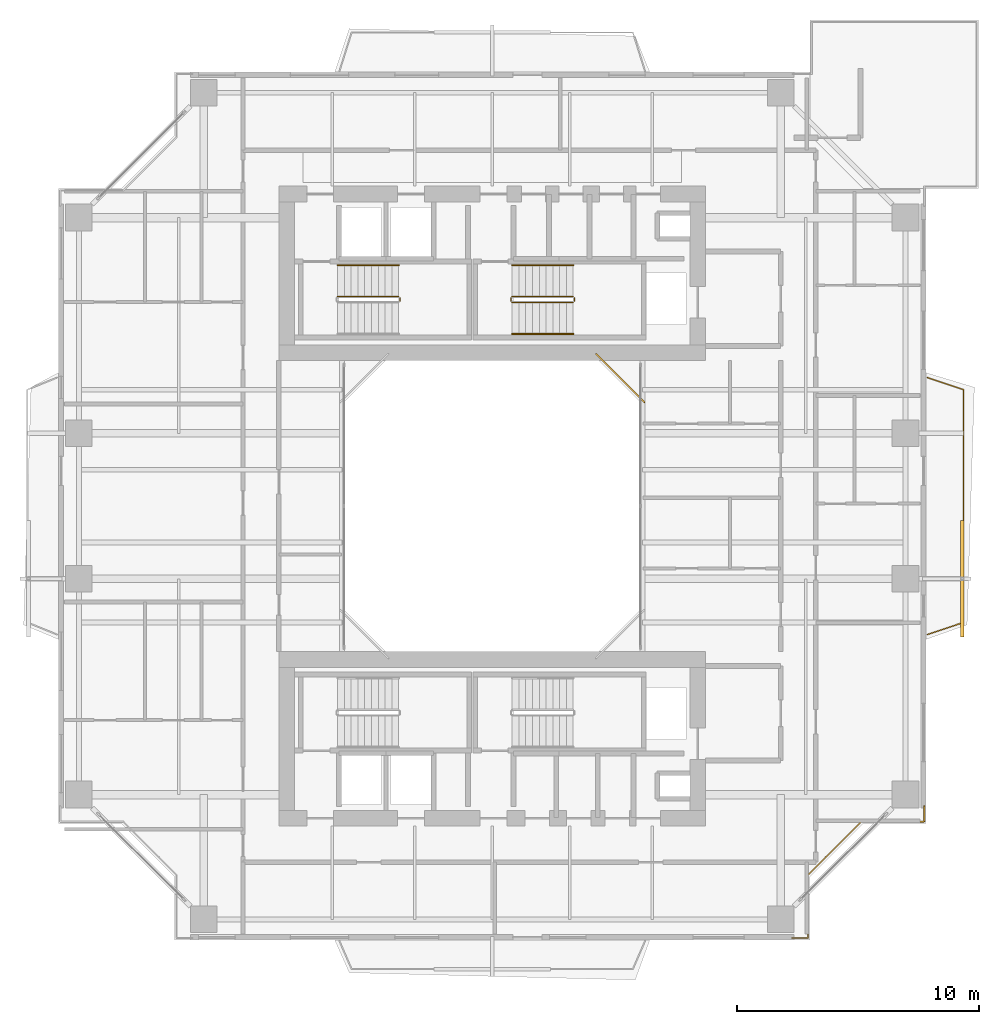
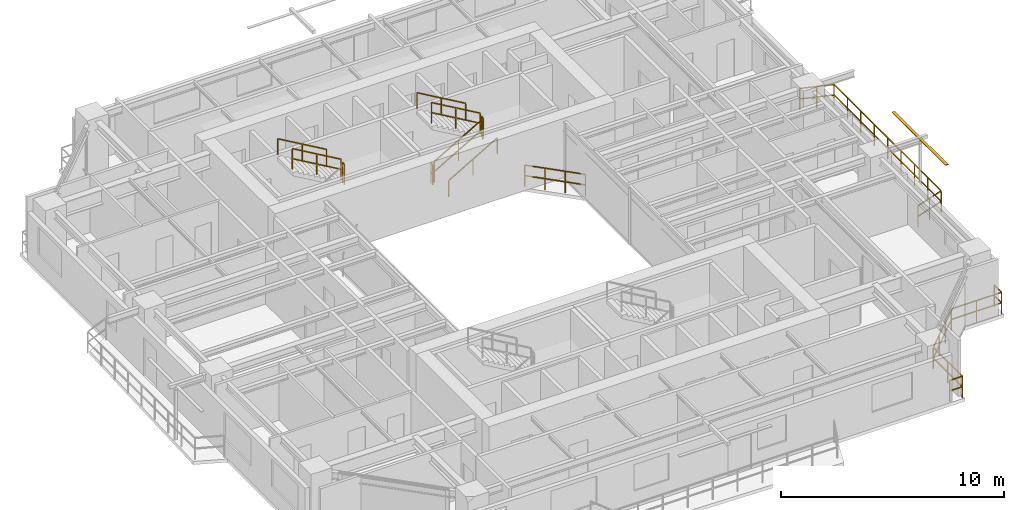
# One storey, part 16 of 17: 12 railings, 1 shading device.
"""IFC4 building model written with IfcOpenShell, lengths in metres."""

from ifc_helpers import new_model, si_unit, direction, frame, origin, origin_2d, place, context, subcontext, project, spatial, rectangle, extrude, source, transform, mapped, material, material_profile, profile_set, type_object, element, save


model = new_model("IFC4")

# Units and contexts
model_context = context("Model", 3, precision=1e-05, world=origin(), true_north=direction((0.0, 1.0)))
body_context = subcontext(model_context, "Body", "Model", "MODEL_VIEW")
ifc_project = project(units=[si_unit("LENGTHUNIT", "METRE"), si_unit("AREAUNIT", "SQUARE_METRE"), si_unit("VOLUMEUNIT", "CUBIC_METRE"), si_unit("PLANEANGLEUNIT", "RADIAN"), si_unit("MASSUNIT", "GRAM", prefix="KILO"), si_unit("THERMODYNAMICTEMPERATUREUNIT", "KELVIN"), si_unit("POWERUNIT", "WATT")], contexts=[model_context])

# Site, building, storey
site_placement = place(None, origin())
site = spatial("IfcSite", under=ifc_project, at=site_placement, CompositionType="ELEMENT")
building_placement = place(site_placement, origin())
building = spatial("IfcBuilding", under=site, at=building_placement, Name="Qiaomeng Ring Towers", CompositionType="ELEMENT")
storey_placement = place(building_placement, frame((0.0, 0.0, 123.0)))
storey = spatial("IfcBuildingStorey", under=building, at=storey_placement, Name="L35", CompositionType="ELEMENT", Elevation=123.0)

# Railings
ifc_material_1 = material(Name="Low-E pale-green laminated safety glass", Category="glass")
railing_type_1 = type_object("IfcRailingType", Name="ARC-RL-BAL1", PredefinedType="BALUSTRADE", material=ifc_material_1)
railing_1_placement = place(storey_placement, frame((25.280029296875, 27.280029296875, 0.0)))
element("IfcRailing", 1, at=railing_1_placement, inside=storey, type_object=railing_type_1, Name="L35 Balustrade ARC-BAL-WELL1-L35-2", PredefinedType="BALUSTRADE", context=body_context, shape_type="SweptSolid", body=[
    extrude(rectangle(XDim=0.048095703125, YDim=0.048095703125, at=origin_2d()), frame((0.0, 0.0, 1.17578125), z_axis=(-0.707106781187, 0.707106781187, 0.0), x_axis=(-0.707106781187, -0.707106781187, 0.0)), (0.0, 0.0, 1.0), 2.828369140625),
    extrude(rectangle(XDim=0.048095703125, YDim=0.048095703125, at=origin_2d()), frame((0.0, 0.0, 0.60009765625), z_axis=(-0.707106781187, 0.707106781187, 0.0), x_axis=(-0.707106781187, -0.707106781187, 0.0)), (0.0, 0.0, 1.0), 2.828369140625),
    extrude(rectangle(XDim=0.0419921875, YDim=0.0419921875, at=origin_2d()), origin(), (0.0, 0.0, 1.0), 1.15185546875),
    extrude(rectangle(XDim=0.0419921875, YDim=0.0419921875, at=origin_2d()), frame((-0.666748046875, 0.666748046875, 0.0)), (0.0, 0.0, 1.0), 1.15185546875),
    extrude(rectangle(XDim=0.0419921875, YDim=0.0419921875, at=origin_2d()), frame((-1.333251953125, 1.333251953125, 0.0)), (0.0, 0.0, 1.0), 1.15185546875),
    extrude(rectangle(XDim=0.0419921875, YDim=0.0419921875, at=origin_2d()), frame((-2.0, 2.0, 0.0)), (0.0, 0.0, 1.0), 1.15185546875),
])
railing_2_placement = place(storey_placement, frame((31.3701171875, 5.179931640625, 0.0)))
element("IfcRailing", 2, at=railing_2_placement, inside=storey, type_object=railing_type_1, Name="L35 Balustrade ARC-BAL-NOTCH1-L35-SE", PredefinedType="BALUSTRADE", context=body_context, shape_type="SweptSolid", body=[
    extrude(rectangle(XDim=0.048095703125, YDim=0.048095703125, at=origin_2d()), frame((0.0, 0.0, 1.17578125), z_axis=(1.0, 0.0, 0.0), x_axis=(0.0, 1.0, 0.0)), (0.0, 0.0, 1.0), 0.64990234375),
    extrude(rectangle(XDim=0.048095703125, YDim=0.048095703125, at=origin_2d()), frame((0.0, 0.0, 0.60009765625), z_axis=(1.0, 0.0, 0.0), x_axis=(0.0, 1.0, 0.0)), (0.0, 0.0, 1.0), 0.64990234375),
    extrude(rectangle(XDim=0.048095703125, YDim=0.048095703125, at=origin_2d()), frame((0.64990234375, 0.0, 1.17578125), z_axis=(0.0, 1.0, 0.0), x_axis=(-1.0, 0.0, 0.0)), (0.0, 0.0, 1.0), 2.60009765625),
    extrude(rectangle(XDim=0.048095703125, YDim=0.048095703125, at=origin_2d()), frame((0.64990234375, 0.0, 0.60009765625), z_axis=(0.0, 1.0, 0.0), x_axis=(-1.0, 0.0, 0.0)), (0.0, 0.0, 1.0), 2.60009765625),
    extrude(rectangle(XDim=0.048095703125, YDim=0.048095703125, at=origin_2d()), frame((0.64990234375, 2.60009765625, 1.17578125), z_axis=(0.707106781187, 0.707106781187, 0.0), x_axis=(-0.707106781187, 0.707106781187, 0.0)), (0.0, 0.0, 1.0), 3.111083984375),
    extrude(rectangle(XDim=0.048095703125, YDim=0.048095703125, at=origin_2d()), frame((0.64990234375, 2.60009765625, 0.60009765625), z_axis=(0.707106781187, 0.707106781187, 0.0), x_axis=(-0.707106781187, 0.707106781187, 0.0)), (0.0, 0.0, 1.0), 3.111083984375),
    extrude(rectangle(XDim=0.048095703125, YDim=0.048095703125, at=origin_2d()), frame((2.849853515625, 4.800048828125, 1.17578125), z_axis=(1.0, 0.0, 0.0), x_axis=(0.0, 1.0, 0.0)), (0.0, 0.0, 1.0), 2.60009765625),
    extrude(rectangle(XDim=0.048095703125, YDim=0.048095703125, at=origin_2d()), frame((2.849853515625, 4.800048828125, 0.60009765625), z_axis=(1.0, 0.0, 0.0), x_axis=(0.0, 1.0, 0.0)), (0.0, 0.0, 1.0), 2.60009765625),
    extrude(rectangle(XDim=0.048095703125, YDim=0.048095703125, at=origin_2d()), frame((5.449951171875, 4.800048828125, 1.17578125), z_axis=(0.0, 1.0, 0.0), x_axis=(-1.0, 0.0, 0.0)), (0.0, 0.0, 1.0), 0.64990234375),
    extrude(rectangle(XDim=0.048095703125, YDim=0.048095703125, at=origin_2d()), frame((5.449951171875, 4.800048828125, 0.60009765625), z_axis=(0.0, 1.0, 0.0), x_axis=(-1.0, 0.0, 0.0)), (0.0, 0.0, 1.0), 0.64990234375),
    extrude(rectangle(XDim=0.0419921875, YDim=0.0419921875, at=origin_2d()), origin(), (0.0, 0.0, 1.0), 1.15185546875),
    extrude(rectangle(XDim=0.0419921875, YDim=0.0419921875, at=origin_2d()), frame((0.64990234375, 0.0, 0.0)), (0.0, 0.0, 1.0), 1.15185546875),
    extrude(rectangle(XDim=0.0419921875, YDim=0.0419921875, at=origin_2d()), frame((0.64990234375, 1.300048828125, 0.0)), (0.0, 0.0, 1.0), 1.15185546875),
    extrude(rectangle(XDim=0.0419921875, YDim=0.0419921875, at=origin_2d()), frame((0.64990234375, 2.60009765625, 0.0)), (0.0, 0.0, 1.0), 1.15185546875),
    extrude(rectangle(XDim=0.0419921875, YDim=0.0419921875, at=origin_2d()), frame((1.38330078125, 3.33349609375, 0.0)), (0.0, 0.0, 1.0), 1.15185546875),
    extrude(rectangle(XDim=0.0419921875, YDim=0.0419921875, at=origin_2d()), frame((2.116455078125, 4.066650390625, 0.0)), (0.0, 0.0, 1.0), 1.15185546875),
    extrude(rectangle(XDim=0.0419921875, YDim=0.0419921875, at=origin_2d()), frame((2.849853515625, 4.800048828125, 0.0)), (0.0, 0.0, 1.0), 1.15185546875),
    extrude(rectangle(XDim=0.0419921875, YDim=0.0419921875, at=origin_2d()), frame((4.14990234375, 4.800048828125, 0.0)), (0.0, 0.0, 1.0), 1.15185546875),
    extrude(rectangle(XDim=0.0419921875, YDim=0.0419921875, at=origin_2d()), frame((5.449951171875, 4.800048828125, 0.0)), (0.0, 0.0, 1.0), 1.15185546875),
    extrude(rectangle(XDim=0.0419921875, YDim=0.0419921875, at=origin_2d()), frame((5.449951171875, 5.449951171875, 0.0)), (0.0, 0.0, 1.0), 1.15185546875),
])
railing_3_placement = place(storey_placement, frame((36.949951171875, 17.699951171875, 0.0)))
element("IfcRailing", 3, at=railing_3_placement, inside=storey, type_object=railing_type_1, Name="L35 Balustrade ARC-BAL-L35-T1-E", PredefinedType="BALUSTRADE", context=body_context, shape_type="SweptSolid", body=[
    extrude(rectangle(XDim=0.048095703125, YDim=0.048095703125, at=origin_2d()), frame((0.0, 0.0, 1.17578125), z_axis=(0.948044476945, 0.318137815629, 0.0), x_axis=(-0.318137815629, 0.948044476945, 0.0)), (0.0, 0.0, 1.0), 1.571533203125),
    extrude(rectangle(XDim=0.048095703125, YDim=0.048095703125, at=origin_2d()), frame((0.0, 0.0, 0.60009765625), z_axis=(0.948044476945, 0.318137815629, 0.0), x_axis=(-0.318137815629, 0.948044476945, 0.0)), (0.0, 0.0, 1.0), 1.571533203125),
    extrude(rectangle(XDim=0.048095703125, YDim=0.048095703125, at=origin_2d()), frame((1.489990234375, 0.5, 1.17578125), z_axis=(0.0, 1.0, 0.0), x_axis=(-1.0, 0.0, 0.0)), (0.0, 0.0, 1.0), 9.60009765625),
    extrude(rectangle(XDim=0.048095703125, YDim=0.048095703125, at=origin_2d()), frame((1.489990234375, 0.5, 0.60009765625), z_axis=(0.0, 1.0, 0.0), x_axis=(-1.0, 0.0, 0.0)), (0.0, 0.0, 1.0), 9.60009765625),
    extrude(rectangle(XDim=0.048095703125, YDim=0.048095703125, at=origin_2d()), frame((1.489990234375, 10.10009765625, 1.17578125), z_axis=(-0.948044476945, 0.318137815629, 0.0), x_axis=(-0.318137815629, -0.948044476945, 0.0)), (0.0, 0.0, 1.0), 1.571533203125),
    extrude(rectangle(XDim=0.048095703125, YDim=0.048095703125, at=origin_2d()), frame((1.489990234375, 10.10009765625, 0.60009765625), z_axis=(-0.948044476945, 0.318137815629, 0.0), x_axis=(-0.318137815629, -0.948044476945, 0.0)), (0.0, 0.0, 1.0), 1.571533203125),
    extrude(rectangle(XDim=0.0419921875, YDim=0.0419921875, at=origin_2d()), origin(), (0.0, 0.0, 1.0), 1.15185546875),
    extrude(rectangle(XDim=0.0419921875, YDim=0.0419921875, at=origin_2d()), frame((0.7451171875, 0.25, 0.0)), (0.0, 0.0, 1.0), 1.15185546875),
    extrude(rectangle(XDim=0.0419921875, YDim=0.0419921875, at=origin_2d()), frame((1.489990234375, 0.5, 0.0)), (0.0, 0.0, 1.0), 1.15185546875),
    extrude(rectangle(XDim=0.0419921875, YDim=0.0419921875, at=origin_2d()), frame((1.489990234375, 1.699951171875, 0.0)), (0.0, 0.0, 1.0), 1.15185546875),
    extrude(rectangle(XDim=0.0419921875, YDim=0.0419921875, at=origin_2d()), frame((1.489990234375, 2.89990234375, 0.0)), (0.0, 0.0, 1.0), 1.15185546875),
    extrude(rectangle(XDim=0.0419921875, YDim=0.0419921875, at=origin_2d()), frame((1.489990234375, 4.10009765625, 0.0)), (0.0, 0.0, 1.0), 1.15185546875),
    extrude(rectangle(XDim=0.0419921875, YDim=0.0419921875, at=origin_2d()), frame((1.489990234375, 5.300048828125, 0.0)), (0.0, 0.0, 1.0), 1.15185546875),
    extrude(rectangle(XDim=0.0419921875, YDim=0.0419921875, at=origin_2d()), frame((1.489990234375, 6.5, 0.0)), (0.0, 0.0, 1.0), 1.15185546875),
    extrude(rectangle(XDim=0.0419921875, YDim=0.0419921875, at=origin_2d()), frame((1.489990234375, 7.7001953125, 0.0)), (0.0, 0.0, 1.0), 1.15185546875),
    extrude(rectangle(XDim=0.0419921875, YDim=0.0419921875, at=origin_2d()), frame((1.489990234375, 8.900146484375, 0.0)), (0.0, 0.0, 1.0), 1.15185546875),
    extrude(rectangle(XDim=0.0419921875, YDim=0.0419921875, at=origin_2d()), frame((1.489990234375, 10.10009765625, 0.0)), (0.0, 0.0, 1.0), 1.15185546875),
    extrude(rectangle(XDim=0.0419921875, YDim=0.0419921875, at=origin_2d()), frame((0.7451171875, 10.35009765625, 0.0)), (0.0, 0.0, 1.0), 1.15185546875),
    extrude(rectangle(XDim=0.0419921875, YDim=0.0419921875, at=origin_2d()), frame((0.0, 10.60009765625, 0.0)), (0.0, 0.0, 1.0), 1.15185546875),
])
ifc_material_2 = material(Name="Galvanised steel", Category="steel")
railing_type_2 = type_object("IfcRailingType", Name="ARC-RL-GUARD", PredefinedType="GUARDRAIL", material=ifc_material_2)
railing_4_placement = place(storey_placement, frame((15.18994140625, 31.449951171875, 1.625)))
element("IfcRailing", 4, at=railing_4_placement, inside=storey, type_object=railing_type_2, Name="L35 ST1 stair guard 2", PredefinedType="GUARDRAIL", context=body_context, shape_type="SweptSolid", body=[
    extrude(rectangle(XDim=0.048095703125, YDim=0.048095703125, at=origin_2d()), frame((0.0, 0.0, 1.1259765625), z_axis=(0.0, 1.0, 0.0), x_axis=(-1.0, 0.0, 0.0)), (0.0, 0.0, 1.0), 0.14013671875),
    extrude(rectangle(XDim=0.048095703125, YDim=0.048095703125, at=origin_2d()), frame((0.0, 0.0, 0.574951171875), z_axis=(0.0, 1.0, 0.0), x_axis=(-1.0, 0.0, 0.0)), (0.0, 0.0, 1.0), 0.14013671875),
    extrude(rectangle(XDim=0.0419921875, YDim=0.0419921875, at=origin_2d()), origin(), (0.0, 0.0, 1.0), 1.101806640625),
    extrude(rectangle(XDim=0.0419921875, YDim=0.0419921875, at=origin_2d()), frame((0.0, 0.14013671875, 0.0)), (0.0, 0.0, 1.0), 1.101806640625),
])
railing_5_placement = place(storey_placement, frame((15.139892578125, 31.639892578125, 1.78759765625)))
element("IfcRailing", 5, at=railing_5_placement, inside=storey, type_object=railing_type_2, Name="L35 ST1 stair guard 3", PredefinedType="GUARDRAIL", context=body_context, shape_type="SweptSolid", body=[
    extrude(rectangle(XDim=0.048095703125, YDim=0.048095703125, at=origin_2d()), frame((0.0, 0.0, 1.1259765625), z_axis=(-0.864892226395, 0.0, 0.501957604506), x_axis=(0.0, -1.0, 0.0)), (0.0, 0.0, 1.0), 2.913330078125),
    extrude(rectangle(XDim=0.048095703125, YDim=0.048095703125, at=origin_2d()), frame((0.0, 0.0, 0.574951171875), z_axis=(-0.864892226395, 0.0, 0.501957604506), x_axis=(0.0, -1.0, 0.0)), (0.0, 0.0, 1.0), 2.913330078125),
    extrude(rectangle(XDim=0.0419921875, YDim=0.0419921875, at=origin_2d()), origin(), (0.0, 0.0, 1.0), 1.101806640625),
    extrude(rectangle(XDim=0.0419921875, YDim=0.0419921875, at=origin_2d()), frame((-1.259765625, 0.0, 0.731201171875)), (0.0, 0.0, 1.0), 1.101806640625),
    extrude(rectangle(XDim=0.0419921875, YDim=0.0419921875, at=origin_2d()), frame((-2.519775390625, 0.0, 1.46240234375)), (0.0, 0.0, 1.0), 1.101806640625),
])
railing_6_placement = place(storey_placement, frame((19.820068359375, 31.39990234375, 0.16259765625)))
element("IfcRailing", 6, at=railing_6_placement, inside=storey, type_object=railing_type_2, Name="L35 ST2 stair guard 1", PredefinedType="GUARDRAIL", context=body_context, shape_type="SweptSolid", body=[
    extrude(rectangle(XDim=0.048095703125, YDim=0.048095703125, at=origin_2d()), frame((0.0, 0.0, 1.1259765625), z_axis=(0.864913338283, 0.0, 0.50192122615), x_axis=(0.0, 1.0, 0.0)), (0.0, 0.0, 1.0), 2.91357421875),
    extrude(rectangle(XDim=0.048095703125, YDim=0.048095703125, at=origin_2d()), frame((0.0, 0.0, 0.574951171875), z_axis=(0.864913338283, 0.0, 0.50192122615), x_axis=(0.0, 1.0, 0.0)), (0.0, 0.0, 1.0), 2.91357421875),
    extrude(rectangle(XDim=0.0419921875, YDim=0.0419921875, at=origin_2d()), origin(), (0.0, 0.0, 1.0), 1.101806640625),
    extrude(rectangle(XDim=0.0419921875, YDim=0.0419921875, at=origin_2d()), frame((1.260009765625, 0.0, 0.731201171875)), (0.0, 0.0, 1.0), 1.101806640625),
    extrude(rectangle(XDim=0.0419921875, YDim=0.0419921875, at=origin_2d()), frame((2.52001953125, 0.0, 1.46240234375)), (0.0, 0.0, 1.0), 1.101806640625),
])
railing_7_placement = place(storey_placement, frame((22.389892578125, 31.449951171875, 1.625)))
element("IfcRailing", 7, at=railing_7_placement, inside=storey, type_object=railing_type_2, Name="L35 ST2 stair guard 2", PredefinedType="GUARDRAIL", context=body_context, shape_type="SweptSolid", body=[
    extrude(rectangle(XDim=0.048095703125, YDim=0.048095703125, at=origin_2d()), frame((0.0, 0.0, 1.1259765625), z_axis=(0.0, 1.0, 0.0), x_axis=(-1.0, 0.0, 0.0)), (0.0, 0.0, 1.0), 0.14013671875),
    extrude(rectangle(XDim=0.048095703125, YDim=0.048095703125, at=origin_2d()), frame((0.0, 0.0, 0.574951171875), z_axis=(0.0, 1.0, 0.0), x_axis=(-1.0, 0.0, 0.0)), (0.0, 0.0, 1.0), 0.14013671875),
    extrude(rectangle(XDim=0.0419921875, YDim=0.0419921875, at=origin_2d()), origin(), (0.0, 0.0, 1.0), 1.101806640625),
    extrude(rectangle(XDim=0.0419921875, YDim=0.0419921875, at=origin_2d()), frame((0.0, 0.14013671875, 0.0)), (0.0, 0.0, 1.0), 1.101806640625),
])
railing_8_placement = place(storey_placement, frame((22.340087890625, 31.639892578125, 1.78759765625)))
element("IfcRailing", 8, at=railing_8_placement, inside=storey, type_object=railing_type_2, Name="L35 ST2 stair guard 3", PredefinedType="GUARDRAIL", context=body_context, shape_type="SweptSolid", body=[
    extrude(rectangle(XDim=0.048095703125, YDim=0.048095703125, at=origin_2d()), frame((0.0, 0.0, 1.1259765625), z_axis=(-0.864913338283, 0.0, 0.50192122615), x_axis=(0.0, -1.0, 0.0)), (0.0, 0.0, 1.0), 2.91357421875),
    extrude(rectangle(XDim=0.048095703125, YDim=0.048095703125, at=origin_2d()), frame((0.0, 0.0, 0.574951171875), z_axis=(-0.864913338283, 0.0, 0.50192122615), x_axis=(0.0, -1.0, 0.0)), (0.0, 0.0, 1.0), 2.91357421875),
    extrude(rectangle(XDim=0.0419921875, YDim=0.0419921875, at=origin_2d()), origin(), (0.0, 0.0, 1.0), 1.101806640625),
    extrude(rectangle(XDim=0.0419921875, YDim=0.0419921875, at=origin_2d()), frame((-1.260009765625, 0.0, 0.731201171875)), (0.0, 0.0, 1.0), 1.101806640625),
    extrude(rectangle(XDim=0.0419921875, YDim=0.0419921875, at=origin_2d()), frame((-2.52001953125, 0.0, 1.46240234375)), (0.0, 0.0, 1.0), 1.101806640625),
])
railing_9_placement = place(storey_placement, frame((19.77001953125, 31.449951171875, 0.0)))
element("IfcRailing", 9, at=railing_9_placement, inside=storey, type_object=railing_type_2, Name="L35 ST2 stair guard 4", PredefinedType="GUARDRAIL", context=body_context, shape_type="SweptSolid", body=[
    extrude(rectangle(XDim=0.048095703125, YDim=0.048095703125, at=origin_2d()), frame((0.0, 0.0, 1.1259765625), z_axis=(0.0, 1.0, 0.0), x_axis=(-1.0, 0.0, 0.0)), (0.0, 0.0, 1.0), 0.14013671875),
    extrude(rectangle(XDim=0.048095703125, YDim=0.048095703125, at=origin_2d()), frame((0.0, 0.0, 0.574951171875), z_axis=(0.0, 1.0, 0.0), x_axis=(-1.0, 0.0, 0.0)), (0.0, 0.0, 1.0), 0.14013671875),
    extrude(rectangle(XDim=0.0419921875, YDim=0.0419921875, at=origin_2d()), origin(), (0.0, 0.0, 1.0), 1.101806640625),
    extrude(rectangle(XDim=0.0419921875, YDim=0.0419921875, at=origin_2d()), frame((0.0, 0.14013671875, 0.0)), (0.0, 0.0, 1.0), 1.101806640625),
])
ifc_material_3 = material(Name="Stainless steel 316", Category="steel")
railing_type_3 = type_object("IfcRailingType", Name="ARC-RL-HAND", PredefinedType="HANDRAIL", material=ifc_material_3)
railing_10_placement = place(storey_placement, frame((15.139892578125, 32.93994140625, 1.78759765625)))
element("IfcRailing", 10, at=railing_10_placement, inside=storey, type_object=railing_type_3, Name="L35 ST1 stair handrail 2", PredefinedType="HANDRAIL", context=body_context, shape_type="SweptSolid", body=[
    extrude(rectangle(XDim=0.048095703125, YDim=0.048095703125, at=origin_2d()), frame((0.0, 0.0, 0.8759765625), z_axis=(-0.864892226395, 0.0, 0.501957604506), x_axis=(0.0, -1.0, 0.0)), (0.0, 0.0, 1.0), 2.913330078125),
    extrude(rectangle(XDim=0.0419921875, YDim=0.0419921875, at=origin_2d()), origin(), (0.0, 0.0, 1.0), 0.851806640625),
    extrude(rectangle(XDim=0.0419921875, YDim=0.0419921875, at=origin_2d()), frame((-1.259765625, 0.0, 0.731201171875)), (0.0, 0.0, 1.0), 0.851806640625),
    extrude(rectangle(XDim=0.0419921875, YDim=0.0419921875, at=origin_2d()), frame((-2.519775390625, 0.0, 1.46240234375)), (0.0, 0.0, 1.0), 0.851806640625),
])
railing_11_placement = place(storey_placement, frame((19.820068359375, 30.10009765625, 0.16259765625)))
element("IfcRailing", 11, at=railing_11_placement, inside=storey, type_object=railing_type_3, Name="L35 ST2 stair handrail 1", PredefinedType="HANDRAIL", context=body_context, shape_type="SweptSolid", body=[
    extrude(rectangle(XDim=0.048095703125, YDim=0.048095703125, at=origin_2d()), frame((0.0, 0.0, 0.8759765625), z_axis=(0.864913338283, 0.0, 0.50192122615), x_axis=(0.0, 1.0, 0.0)), (0.0, 0.0, 1.0), 2.91357421875),
    extrude(rectangle(XDim=0.0419921875, YDim=0.0419921875, at=origin_2d()), origin(), (0.0, 0.0, 1.0), 0.851806640625),
    extrude(rectangle(XDim=0.0419921875, YDim=0.0419921875, at=origin_2d()), frame((1.260009765625, 0.0, 0.731201171875)), (0.0, 0.0, 1.0), 0.851806640625),
    extrude(rectangle(XDim=0.0419921875, YDim=0.0419921875, at=origin_2d()), frame((2.52001953125, 0.0, 1.46240234375)), (0.0, 0.0, 1.0), 0.851806640625),
])
railing_12_placement = place(storey_placement, frame((22.340087890625, 32.93994140625, 1.78759765625)))
element("IfcRailing", 12, at=railing_12_placement, inside=storey, type_object=railing_type_3, Name="L35 ST2 stair handrail 2", PredefinedType="HANDRAIL", context=body_context, shape_type="SweptSolid", body=[
    extrude(rectangle(XDim=0.048095703125, YDim=0.048095703125, at=origin_2d()), frame((0.0, 0.0, 0.8759765625), z_axis=(-0.864913338283, 0.0, 0.50192122615), x_axis=(0.0, -1.0, 0.0)), (0.0, 0.0, 1.0), 2.91357421875),
    extrude(rectangle(XDim=0.0419921875, YDim=0.0419921875, at=origin_2d()), origin(), (0.0, 0.0, 1.0), 0.851806640625),
    extrude(rectangle(XDim=0.0419921875, YDim=0.0419921875, at=origin_2d()), frame((-1.260009765625, 0.0, 0.731201171875)), (0.0, 0.0, 1.0), 0.851806640625),
    extrude(rectangle(XDim=0.0419921875, YDim=0.0419921875, at=origin_2d()), frame((-2.52001953125, 0.0, 1.46240234375)), (0.0, 0.0, 1.0), 0.851806640625),
])

# Shading device
ifc_material_4 = material(Name="Fluorocarbon dark-grey aluminium", Category="aluminium")
ifc_material_profile = material_profile(ifc_material_4, rectangle(XDim=0.14990234375, YDim=0.034912109375, at=origin_2d()), Name="LV BLADE 150x35")
ifc_profile_set = profile_set([ifc_material_profile], Name="Fluorocarbon dark-grey aluminium")
shading_device_type = type_object("IfcShadingDeviceType", Name="ARC-SHD-SUN", PredefinedType="AWNING", material=ifc_profile_set)
shared_shape = source(origin(), body_context, "Body", "SweptSolid", [
    extrude(rectangle(XDim=0.14990234375, YDim=0.034912109375, at=origin_2d()), origin(), (0.0, 0.0, 1.0), 4.7998046875),
])
shading_device_placement = place(storey_placement, frame((38.389892578125, 17.60009765625, 2.969970703125), z_axis=(0.0, 1.0, 0.0), x_axis=(-1.0, 0.0, 0.0)))
element("IfcShadingDevice", 13, at=shading_device_placement, inside=storey, type_object=shading_device_type, Name="L35 Ventilated Outer-Skin Sunshade E", PredefinedType="AWNING", context=body_context, shape_type="MappedRepresentation", body=[
    mapped(shared_shape, transform((0.0, 0.0, 0.0), x_axis=(1.0, 0.0, 0.0), y_axis=(0.0, 1.0, 0.0), z_axis=(0.0, 0.0, 1.0), scale=1.0)),
])

save(model, "model.ifc")
